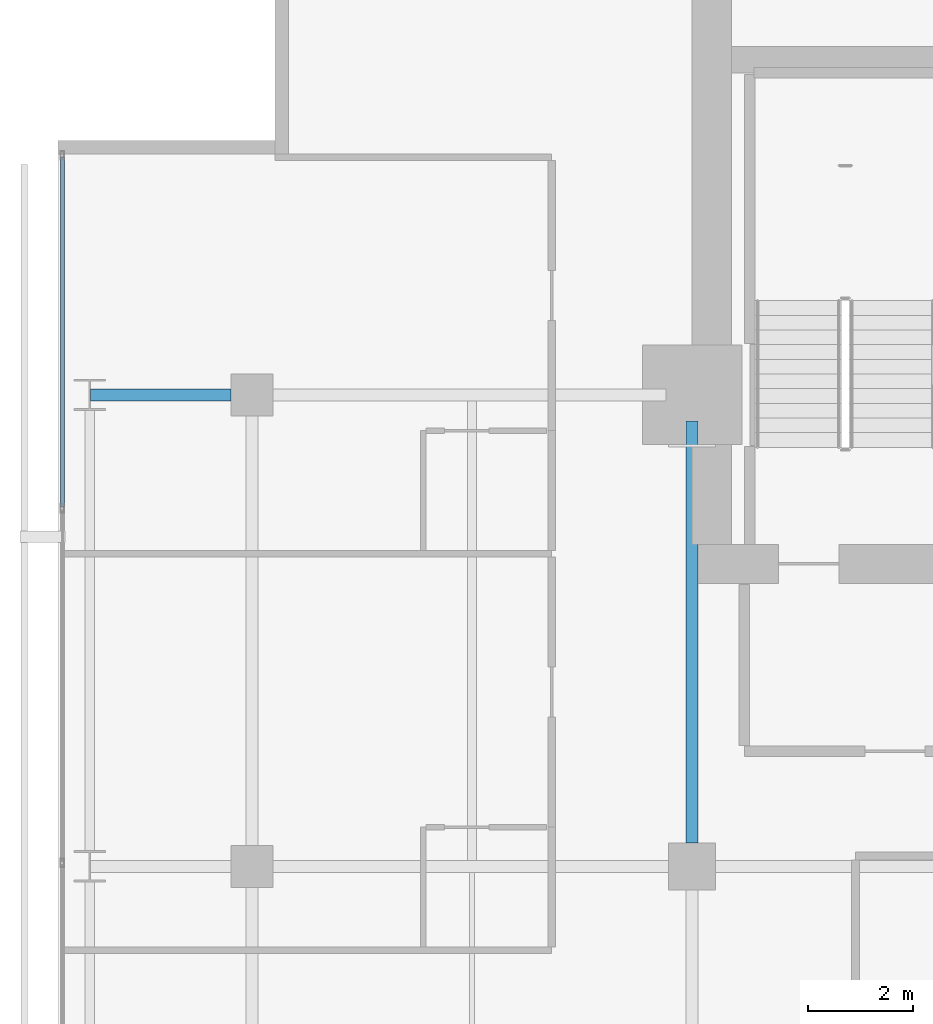
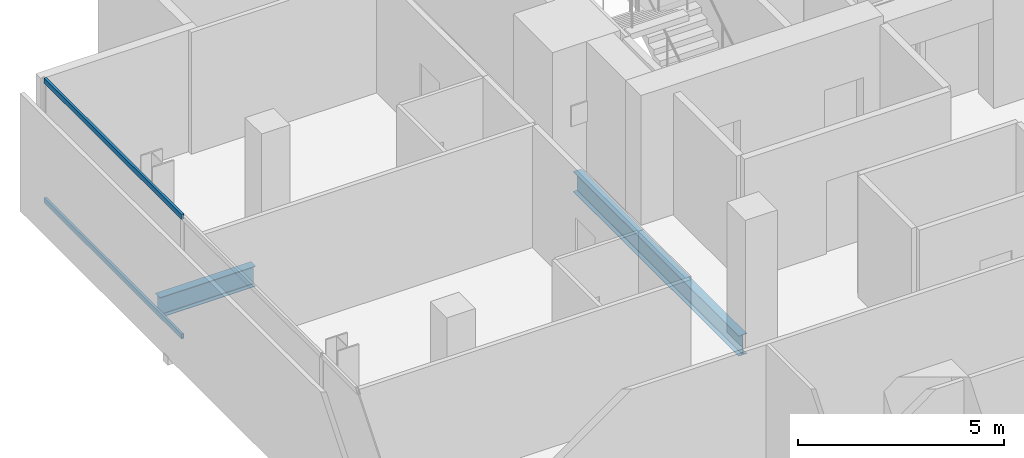
# One storey, part 19 of 34: 2 beams, 2 members, 1 element without a shape of its own.
"""IFC4 building model written with IfcOpenShell, lengths in metres."""

from ifc_helpers import new_model, si_unit, direction, frame, origin, origin_2d, place, context, subcontext, project, spatial, hollow_rectangle, i_section, extrude, material, layer, layer_set, material_profile, profile_set, type_object, element, aggregate, save


model = new_model("IFC4")

# Units and contexts
model_context = context("Model", 3, precision=1e-05, world=origin(), true_north=direction((0.0, 1.0)))
body_context = subcontext(model_context, "Body", "Model", "MODEL_VIEW")
ifc_project = project(units=[si_unit("LENGTHUNIT", "METRE"), si_unit("AREAUNIT", "SQUARE_METRE"), si_unit("VOLUMEUNIT", "CUBIC_METRE"), si_unit("PLANEANGLEUNIT", "RADIAN"), si_unit("MASSUNIT", "GRAM", prefix="KILO")], contexts=[model_context])

# Site, building, storey
site_placement = place(None, origin())
site = spatial("IfcSite", under=ifc_project, at=site_placement, CompositionType="ELEMENT")
building_placement = place(site_placement, origin())
building = spatial("IfcBuilding", under=site, at=building_placement, Name="Maruvema Waterfront Hotel and Observation Tower", CompositionType="ELEMENT")
storey_placement = place(building_placement, frame((0.0, 0.0, 189.0)))
storey = spatial("IfcBuildingStorey", under=building, at=storey_placement, Name="L46", CompositionType="ELEMENT", Elevation=189.0)

# Curtain wall, members
ifc_material_1 = material(Name="Anodised bronze aluminium and solar-control low-E IGU", Category="aluminium")
ifc_layer = layer(ifc_material_1, 0.159912109375, Name="Zone 2 Amber Inner Thermal Curtain Wall System CW-03")
ifc_layer_set = layer_set([ifc_layer], Name="Anodised bronze aluminium and solar-control low-E IGU")
curtain_wall_type = type_object("IfcCurtainWallType", Name="Zone 2 Amber Inner Thermal Curtain Wall System CW-03", PredefinedType="USERDEFINED", material=ifc_layer_set)
curtain_wall_placement = place(storey_placement, origin())
curtain_wall = element("IfcCurtainWall", 1, at=curtain_wall_placement, inside=storey, type_object=curtain_wall_type, Name="L46 Curtain Wall CW-L46-W", ObjectType="UNITISED CURTAIN WALL", PredefinedType="USERDEFINED")
ifc_material_2 = material(Name="Anodised architectural bronze aluminium", Category="aluminium")
ifc_material_profile_1 = material_profile(ifc_material_2, hollow_rectangle(XDim=0.070068359375, YDim=0.14990234375, WallThickness=0.00390625, at=origin_2d()), Name="ALU-T70x150")
ifc_profile_set_1 = profile_set([ifc_material_profile_1], Name="Anodised architectural bronze aluminium")
member_type = type_object("IfcMemberType", Name="Curtain Wall Horizontal Transom ALU-T70x150", PredefinedType="USERDEFINED", material=ifc_profile_set_1)
member_1_placement = place(storey_placement, frame((13.179931640625, 49.5400390625, 0.030029296875), z_axis=(0.0, -1.0, 0.0), x_axis=(1.0, 0.0, 0.0)))
member_1 = element("IfcMember", 2, at=member_1_placement, type_object=member_type, Name="CW-03 transom 1.1", ObjectType="TRANSOM", PredefinedType="USERDEFINED", context=body_context, shape_type="SweptSolid", body=[
    extrude(hollow_rectangle(XDim=0.070068359375, YDim=0.14990234375, WallThickness=0.00390625, at=origin_2d()), origin(), (0.0, 0.0, 1.0), 6.6767578125),
])
member_2_placement = place(storey_placement, frame((13.179931640625, 49.5400390625, 3.580078125), z_axis=(0.0, -1.0, 0.0), x_axis=(1.0, 0.0, 0.0)))
member_2 = element("IfcMember", 3, at=member_2_placement, type_object=member_type, Name="CW-03 transom 1.2", ObjectType="TRANSOM", PredefinedType="USERDEFINED", context=body_context, shape_type="SweptSolid", body=[
    extrude(hollow_rectangle(XDim=0.070068359375, YDim=0.14990234375, WallThickness=0.00390625, at=origin_2d()), origin(), (0.0, 0.0, 1.0), 6.6767578125),
])
aggregate(curtain_wall, [member_1, member_2])

# Beams
ifc_material_3 = material(Name="Steel ASTM A572 Grade 50", Category="steel")
ifc_material_profile_2 = material_profile(ifc_material_3, i_section(OverallWidth=0.22802734375, OverallDepth=0.60302734375, WebThickness=0.010498046875, FlangeThickness=0.014892578125, FilletRadius=0.01806640625, at=origin_2d()), Name="W610x101.0")
ifc_profile_set_2 = profile_set([ifc_material_profile_2], Name="Steel ASTM A572 Grade 50")
beam_type = type_object("IfcBeamType", Name="Primary Floor Girder W610x101.0", PredefinedType="BEAM", material=ifc_profile_set_2)
beam_1_placement = place(storey_placement, frame((13.71240234375, 45.0, -0.54150390625), z_axis=(1.0, 0.0, 0.0), x_axis=(0.0, 1.0, 0.0)))
element("IfcBeam", 4, at=beam_1_placement, inside=storey, type_object=beam_type, Name="L46 Floor Girder EW-30", PredefinedType="BEAM", context=body_context, shape_type="SweptSolid", body=[
    extrude(i_section(OverallWidth=0.22802734375, OverallDepth=0.60302734375, WebThickness=0.010498046875, FlangeThickness=0.014892578125, FilletRadius=0.01806640625, at=origin_2d()), origin(), (0.0, 0.0, 1.0), 2.6875),
])
beam_2_placement = place(storey_placement, frame((25.199951171875, 36.449951171875, -0.54150390625), z_axis=(0.0, 1.0, 0.0), x_axis=(-1.0, 0.0, 0.0)))
element("IfcBeam", 5, at=beam_2_placement, inside=storey, type_object=beam_type, Name="L46 Floor Girder NS-13", PredefinedType="BEAM", context=body_context, shape_type="SweptSolid", body=[
    extrude(i_section(OverallWidth=0.22802734375, OverallDepth=0.60302734375, WebThickness=0.010498046875, FlangeThickness=0.014892578125, FilletRadius=0.01806640625, at=origin_2d()), origin(), (0.0, 0.0, 1.0), 8.050048828125),
])

save(model, "model.ifc")
